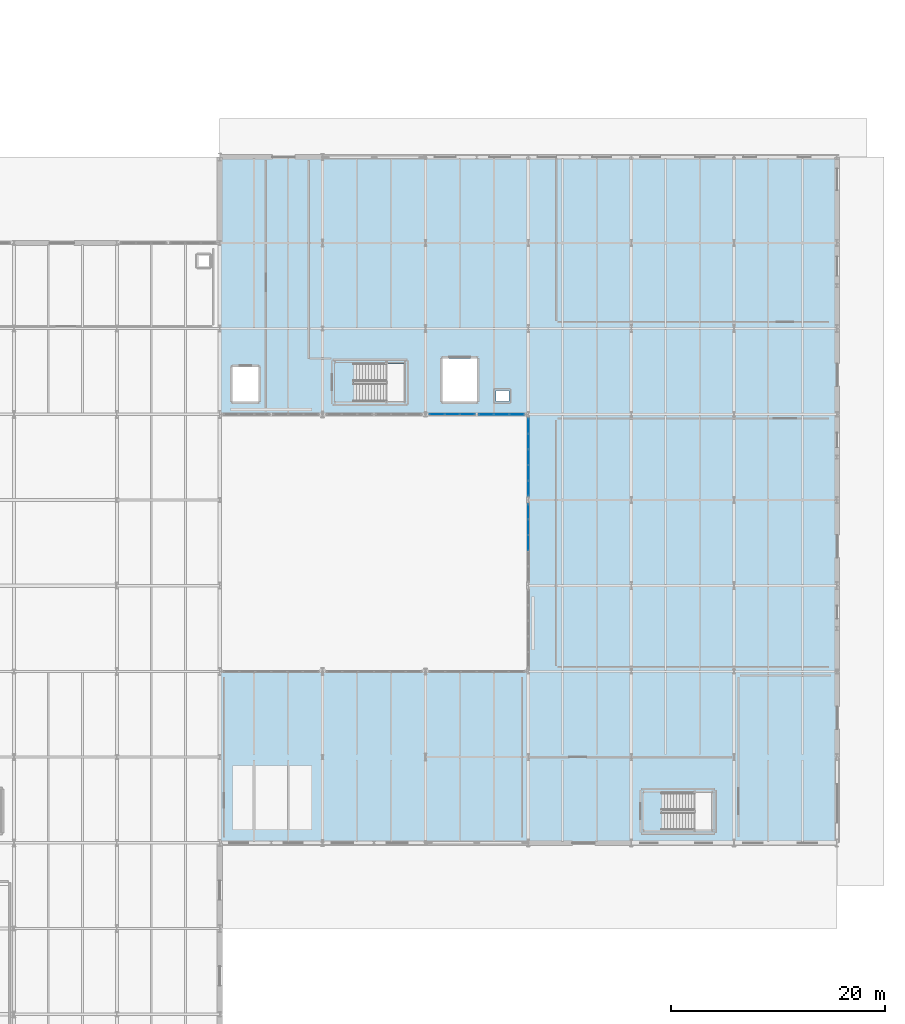
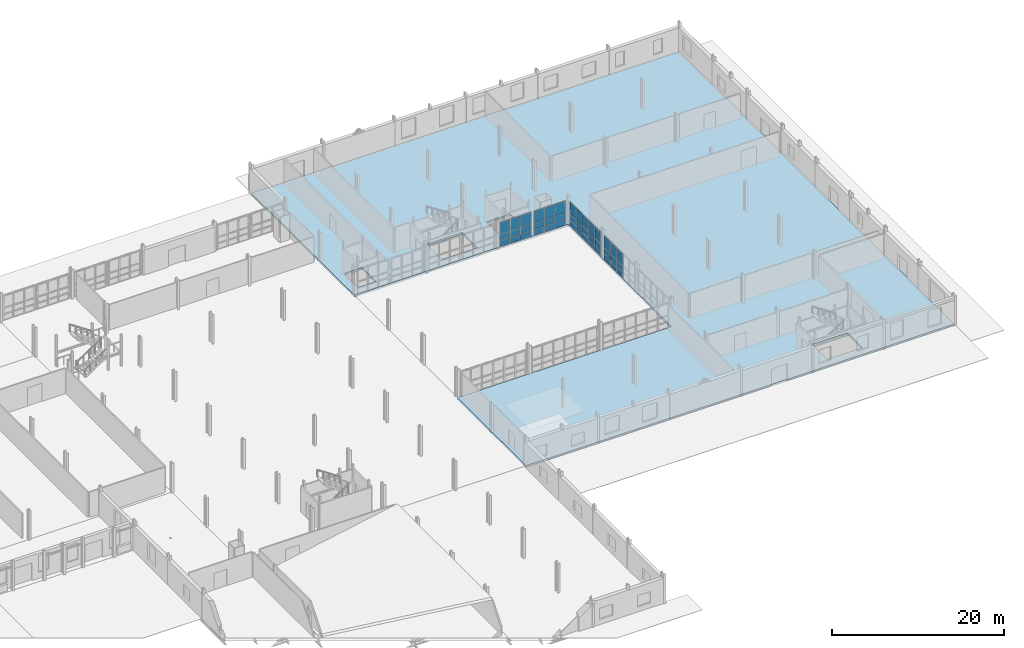
# One storey, part 52 of 78: 42 plates, 1 slab, 4 elements without a shape of their own.
"""IFC4 building model written with IfcOpenShell, lengths in metres."""

from ifc_helpers import new_model, si_unit, direction, frame, origin, origin_2d, place, context, subcontext, project, spatial, polyline, rectangle, outline, extrude, material, layer, layer_set, type_object, element, aggregate, save


model = new_model("IFC4")

# Units and contexts
model_context = context("Model", 3, precision=1e-05, world=origin(), true_north=direction((0.0, 1.0)))
body_context = subcontext(model_context, "Body", "Model", "MODEL_VIEW")
ifc_project = project(units=[si_unit("LENGTHUNIT", "METRE"), si_unit("AREAUNIT", "SQUARE_METRE"), si_unit("VOLUMEUNIT", "CUBIC_METRE"), si_unit("PLANEANGLEUNIT", "RADIAN"), si_unit("MASSUNIT", "GRAM", prefix="KILO")], contexts=[model_context])

# Site, building, storey
site_placement = place(None, origin())
site = spatial("IfcSite", under=ifc_project, at=site_placement, CompositionType="ELEMENT")
building_placement = place(site_placement, origin())
building = spatial("IfcBuilding", under=site, at=building_placement, Name="Alderhovde Museum", CompositionType="ELEMENT")
storey_placement = place(building_placement, origin())
storey = spatial("IfcBuildingStorey", under=building, at=storey_placement, Name="L00", CompositionType="ELEMENT", Elevation=0.0)

# Curtain wall, plates
ifc_material_1 = material(Name="Triple-Glazed Bronze-Anodised Curtain Wall", Category="glass")
ifc_layer_1 = layer(ifc_material_1, 0.179931640625)
ifc_layer_set_1 = layer_set([ifc_layer_1], Name="Triple-Glazed Bronze-Anodised Curtain Wall")
curtain_wall_type_1 = type_object("IfcCurtainWallType", Name="CW-STIC-430x356", PredefinedType="USERDEFINED", material=ifc_layer_set_1)
curtain_wall_1_placement = place(storey_placement, origin())
curtain_wall_1 = element("IfcCurtainWall", 1, at=curtain_wall_1_placement, inside=storey, type_object=curtain_wall_type_1, Name="L00 Stick Curtain Wall 137", ObjectType="STICK CURTAIN WALL", PredefinedType="USERDEFINED")
ifc_material_2 = material(Name="Triple-Glazed Low-E Laminated Glass", Category="glass")
ifc_layer_2 = layer(ifc_material_2, 0.035888671875)
ifc_layer_set_2 = layer_set([ifc_layer_2], Name="Triple-Glazed Low-E Laminated Glass")
plate_type_1 = type_object("IfcPlateType", Name="CWP-GLAZ-36", PredefinedType="CURTAIN_PANEL", material=ifc_layer_set_2)
plate_1_placement = place(storey_placement, frame((135.48291015625, 72.0, 0.06494140625), z_axis=(0.0, 0.0, 1.0), x_axis=(1.0, 0.0, 0.0)))
plate_1 = element("IfcPlate", 2, at=plate_1_placement, type_object=plate_type_1, Name="CW31 panel 1.1", PredefinedType="CURTAIN_PANEL", context=body_context, shape_type="SweptSolid", body=[
    extrude(rectangle(XDim=1.3359375, YDim=0.035888671875, at=origin_2d()), origin(), (0.0, 0.0, 1.0), 0.802490234375),
])
plate_2_placement = place(storey_placement, frame((135.48291015625, 72.0, 0.9326171875), z_axis=(0.0, 0.0, 1.0), x_axis=(1.0, 0.0, 0.0)))
plate_2 = element("IfcPlate", 3, at=plate_2_placement, type_object=plate_type_1, Name="CW31 panel 1.2", PredefinedType="CURTAIN_PANEL", context=body_context, shape_type="SweptSolid", body=[
    extrude(rectangle(XDim=1.3359375, YDim=0.035888671875, at=origin_2d()), origin(), (0.0, 0.0, 1.0), 0.81494140625),
])
plate_3_placement = place(storey_placement, frame((135.48291015625, 72.0, 1.8125), z_axis=(0.0, 0.0, 1.0), x_axis=(1.0, 0.0, 0.0)))
plate_3 = element("IfcPlate", 4, at=plate_3_placement, type_object=plate_type_1, Name="CW31 panel 1.3", PredefinedType="CURTAIN_PANEL", context=body_context, shape_type="SweptSolid", body=[
    extrude(rectangle(XDim=1.3359375, YDim=0.035888671875, at=origin_2d()), origin(), (0.0, 0.0, 1.0), 1.6826171875),
])
plate_4_placement = place(storey_placement, frame((136.89990234375, 72.0, 0.06494140625), z_axis=(0.0, 0.0, 1.0), x_axis=(1.0, 0.0, 0.0)))
plate_4 = element("IfcPlate", 5, at=plate_4_placement, type_object=plate_type_1, Name="CW31 panel 2.1", PredefinedType="CURTAIN_PANEL", context=body_context, shape_type="SweptSolid", body=[
    extrude(rectangle(XDim=1.368408203125, YDim=0.035888671875, at=origin_2d()), origin(), (0.0, 0.0, 1.0), 0.802490234375),
])
plate_5_placement = place(storey_placement, frame((136.89990234375, 72.0, 0.9326171875), z_axis=(0.0, 0.0, 1.0), x_axis=(1.0, 0.0, 0.0)))
plate_5 = element("IfcPlate", 6, at=plate_5_placement, type_object=plate_type_1, Name="CW31 panel 2.2", PredefinedType="CURTAIN_PANEL", context=body_context, shape_type="SweptSolid", body=[
    extrude(rectangle(XDim=1.368408203125, YDim=0.035888671875, at=origin_2d()), origin(), (0.0, 0.0, 1.0), 0.81494140625),
])
plate_6_placement = place(storey_placement, frame((136.89990234375, 72.0, 1.8125), z_axis=(0.0, 0.0, 1.0), x_axis=(1.0, 0.0, 0.0)))
plate_6 = element("IfcPlate", 7, at=plate_6_placement, type_object=plate_type_1, Name="CW31 panel 2.3", PredefinedType="CURTAIN_PANEL", context=body_context, shape_type="SweptSolid", body=[
    extrude(rectangle(XDim=1.368408203125, YDim=0.035888671875, at=origin_2d()), origin(), (0.0, 0.0, 1.0), 1.6826171875),
])
plate_7_placement = place(storey_placement, frame((138.317138671875, 72.0, 0.06494140625), z_axis=(0.0, 0.0, 1.0), x_axis=(1.0, 0.0, 0.0)))
plate_7 = element("IfcPlate", 8, at=plate_7_placement, type_object=plate_type_1, Name="CW31 panel 3.1", PredefinedType="CURTAIN_PANEL", context=body_context, shape_type="SweptSolid", body=[
    extrude(rectangle(XDim=1.3359375, YDim=0.035888671875, at=origin_2d()), origin(), (0.0, 0.0, 1.0), 0.802490234375),
])
plate_8_placement = place(storey_placement, frame((138.317138671875, 72.0, 0.9326171875), z_axis=(0.0, 0.0, 1.0), x_axis=(1.0, 0.0, 0.0)))
plate_8 = element("IfcPlate", 9, at=plate_8_placement, type_object=plate_type_1, Name="CW31 panel 3.2", PredefinedType="CURTAIN_PANEL", context=body_context, shape_type="SweptSolid", body=[
    extrude(rectangle(XDim=1.3359375, YDim=0.035888671875, at=origin_2d()), origin(), (0.0, 0.0, 1.0), 0.81494140625),
])
plate_9_placement = place(storey_placement, frame((138.317138671875, 72.0, 1.8125), z_axis=(0.0, 0.0, 1.0), x_axis=(1.0, 0.0, 0.0)))
plate_9 = element("IfcPlate", 10, at=plate_9_placement, type_object=plate_type_1, Name="CW31 panel 3.3", PredefinedType="CURTAIN_PANEL", context=body_context, shape_type="SweptSolid", body=[
    extrude(rectangle(XDim=1.3359375, YDim=0.035888671875, at=origin_2d()), origin(), (0.0, 0.0, 1.0), 1.6826171875),
])
aggregate(curtain_wall_1, [plate_1, plate_2, plate_3, plate_4, plate_5, plate_6, plate_7, plate_8, plate_9])

ifc_material_3 = material(Name="Triple-Glazed Bronze-Anodised Curtain Wall", Category="glass")
ifc_layer_3 = layer(ifc_material_3, 0.179931640625)
ifc_layer_set_3 = layer_set([ifc_layer_3], Name="Triple-Glazed Bronze-Anodised Curtain Wall")
curtain_wall_type_2 = type_object("IfcCurtainWallType", Name="CW-STIC-730x356", PredefinedType="USERDEFINED", material=ifc_layer_set_3)
curtain_wall_2_placement = place(storey_placement, origin())
curtain_wall_2 = element("IfcCurtainWall", 11, at=curtain_wall_2_placement, inside=storey, type_object=curtain_wall_type_2, Name="L00 Stick Curtain Wall 141", ObjectType="STICK CURTAIN WALL", PredefinedType="USERDEFINED")
plate_10_placement = place(storey_placement, frame((144.0, 60.0, 0.06494140625), z_axis=(0.0, 0.0, 1.0), x_axis=(0.0, 1.0, 0.0)))
plate_10 = element("IfcPlate", 12, at=plate_10_placement, type_object=plate_type_1, Name="CW33 panel 3.1", PredefinedType="CURTAIN_PANEL", context=body_context, shape_type="SweptSolid", body=[
    extrude(rectangle(XDim=1.39501953125, YDim=0.035888671875, at=origin_2d()), origin(), (0.0, 0.0, 1.0), 0.802490234375),
])
plate_11_placement = place(storey_placement, frame((144.0, 60.0, 0.9326171875), z_axis=(0.0, 0.0, 1.0), x_axis=(0.0, 1.0, 0.0)))
plate_11 = element("IfcPlate", 13, at=plate_11_placement, type_object=plate_type_1, Name="CW33 panel 3.2", PredefinedType="CURTAIN_PANEL", context=body_context, shape_type="SweptSolid", body=[
    extrude(rectangle(XDim=1.39501953125, YDim=0.035888671875, at=origin_2d()), origin(), (0.0, 0.0, 1.0), 0.81494140625),
])
plate_12_placement = place(storey_placement, frame((144.0, 60.0, 1.8125), z_axis=(0.0, 0.0, 1.0), x_axis=(0.0, 1.0, 0.0)))
plate_12 = element("IfcPlate", 14, at=plate_12_placement, type_object=plate_type_1, Name="CW33 panel 3.3", PredefinedType="CURTAIN_PANEL", context=body_context, shape_type="SweptSolid", body=[
    extrude(rectangle(XDim=1.39501953125, YDim=0.035888671875, at=origin_2d()), origin(), (0.0, 0.0, 1.0), 1.6826171875),
])
plate_13_placement = place(storey_placement, frame((144.0, 61.4599609375, 0.06494140625), z_axis=(0.0, 0.0, 1.0), x_axis=(0.0, 1.0, 0.0)))
plate_13 = element("IfcPlate", 15, at=plate_13_placement, type_object=plate_type_1, Name="CW33 panel 4.1", PredefinedType="CURTAIN_PANEL", context=body_context, shape_type="SweptSolid", body=[
    extrude(rectangle(XDim=1.39501953125, YDim=0.035888671875, at=origin_2d()), origin(), (0.0, 0.0, 1.0), 0.802490234375),
])
plate_14_placement = place(storey_placement, frame((144.0, 61.4599609375, 0.9326171875), z_axis=(0.0, 0.0, 1.0), x_axis=(0.0, 1.0, 0.0)))
plate_14 = element("IfcPlate", 16, at=plate_14_placement, type_object=plate_type_1, Name="CW33 panel 4.2", PredefinedType="CURTAIN_PANEL", context=body_context, shape_type="SweptSolid", body=[
    extrude(rectangle(XDim=1.39501953125, YDim=0.035888671875, at=origin_2d()), origin(), (0.0, 0.0, 1.0), 0.81494140625),
])
plate_15_placement = place(storey_placement, frame((144.0, 61.4599609375, 1.8125), z_axis=(0.0, 0.0, 1.0), x_axis=(0.0, 1.0, 0.0)))
plate_15 = element("IfcPlate", 17, at=plate_15_placement, type_object=plate_type_1, Name="CW33 panel 4.3", PredefinedType="CURTAIN_PANEL", context=body_context, shape_type="SweptSolid", body=[
    extrude(rectangle(XDim=1.39501953125, YDim=0.035888671875, at=origin_2d()), origin(), (0.0, 0.0, 1.0), 1.6826171875),
])
plate_16_placement = place(storey_placement, frame((144.0, 62.90380859375, 0.06494140625), z_axis=(0.0, 0.0, 1.0), x_axis=(0.0, 1.0, 0.0)))
plate_16 = element("IfcPlate", 18, at=plate_16_placement, type_object=plate_type_1, Name="CW33 panel 5.1", PredefinedType="CURTAIN_PANEL", context=body_context, shape_type="SweptSolid", body=[
    extrude(rectangle(XDim=1.362548828125, YDim=0.035888671875, at=origin_2d()), origin(), (0.0, 0.0, 1.0), 0.802490234375),
])
plate_17_placement = place(storey_placement, frame((144.0, 62.90380859375, 0.9326171875), z_axis=(0.0, 0.0, 1.0), x_axis=(0.0, 1.0, 0.0)))
plate_17 = element("IfcPlate", 19, at=plate_17_placement, type_object=plate_type_1, Name="CW33 panel 5.2", PredefinedType="CURTAIN_PANEL", context=body_context, shape_type="SweptSolid", body=[
    extrude(rectangle(XDim=1.362548828125, YDim=0.035888671875, at=origin_2d()), origin(), (0.0, 0.0, 1.0), 0.81494140625),
])
plate_18_placement = place(storey_placement, frame((144.0, 62.90380859375, 1.8125), z_axis=(0.0, 0.0, 1.0), x_axis=(0.0, 1.0, 0.0)))
plate_18 = element("IfcPlate", 20, at=plate_18_placement, type_object=plate_type_1, Name="CW33 panel 5.3", PredefinedType="CURTAIN_PANEL", context=body_context, shape_type="SweptSolid", body=[
    extrude(rectangle(XDim=1.362548828125, YDim=0.035888671875, at=origin_2d()), origin(), (0.0, 0.0, 1.0), 1.6826171875),
])
aggregate(curtain_wall_2, [plate_10, plate_11, plate_12, plate_13, plate_14, plate_15, plate_16, plate_17, plate_18])

curtain_wall_3_placement = place(storey_placement, origin())
curtain_wall_3 = element("IfcCurtainWall", 21, at=curtain_wall_3_placement, inside=storey, type_object=curtain_wall_type_1, Name="L00 Stick Curtain Wall 138", ObjectType="STICK CURTAIN WALL", PredefinedType="USERDEFINED")
ifc_material_4 = material(Name="Triple-Glazed Low-E Laminated Glass", Category="glass")
ifc_layer_4 = layer(ifc_material_4, 0.0439453125)
ifc_layer_set_4 = layer_set([ifc_layer_4], Name="Triple-Glazed Low-E Laminated Glass")
plate_type_2 = type_object("IfcPlateType", Name="CWP-GLAZ-44", PredefinedType="CURTAIN_PANEL", material=ifc_layer_set_4)
plate_19_placement = place(storey_placement, frame((140.0830078125, 72.0, 0.06494140625), z_axis=(0.0, 0.0, 1.0), x_axis=(1.0, 0.0, 0.0)))
plate_19 = element("IfcPlate", 22, at=plate_19_placement, type_object=plate_type_2, Name="CW31 panel 1.1", PredefinedType="CURTAIN_PANEL", context=body_context, shape_type="SweptSolid", body=[
    extrude(rectangle(XDim=1.3359375, YDim=0.0439453125, at=origin_2d()), origin(), (0.0, 0.0, 1.0), 0.802490234375),
])
plate_20_placement = place(storey_placement, frame((140.0830078125, 72.0, 0.9326171875), z_axis=(0.0, 0.0, 1.0), x_axis=(1.0, 0.0, 0.0)))
plate_20 = element("IfcPlate", 23, at=plate_20_placement, type_object=plate_type_2, Name="CW31 panel 1.2", PredefinedType="CURTAIN_PANEL", context=body_context, shape_type="SweptSolid", body=[
    extrude(rectangle(XDim=1.3359375, YDim=0.0439453125, at=origin_2d()), origin(), (0.0, 0.0, 1.0), 0.81494140625),
])
plate_21_placement = place(storey_placement, frame((140.0830078125, 72.0, 1.8125), z_axis=(0.0, 0.0, 1.0), x_axis=(1.0, 0.0, 0.0)))
plate_21 = element("IfcPlate", 24, at=plate_21_placement, type_object=plate_type_2, Name="CW31 panel 1.3", PredefinedType="CURTAIN_PANEL", context=body_context, shape_type="SweptSolid", body=[
    extrude(rectangle(XDim=1.3359375, YDim=0.0439453125, at=origin_2d()), origin(), (0.0, 0.0, 1.0), 1.6826171875),
])
plate_22_placement = place(storey_placement, frame((141.5, 72.0, 0.06494140625), z_axis=(0.0, 0.0, 1.0), x_axis=(1.0, 0.0, 0.0)))
plate_22 = element("IfcPlate", 25, at=plate_22_placement, type_object=plate_type_2, Name="CW31 panel 2.1", PredefinedType="CURTAIN_PANEL", context=body_context, shape_type="SweptSolid", body=[
    extrude(rectangle(XDim=1.368408203125, YDim=0.0439453125, at=origin_2d()), origin(), (0.0, 0.0, 1.0), 0.802490234375),
])
plate_23_placement = place(storey_placement, frame((141.5, 72.0, 0.9326171875), z_axis=(0.0, 0.0, 1.0), x_axis=(1.0, 0.0, 0.0)))
plate_23 = element("IfcPlate", 26, at=plate_23_placement, type_object=plate_type_2, Name="CW31 panel 2.2", PredefinedType="CURTAIN_PANEL", context=body_context, shape_type="SweptSolid", body=[
    extrude(rectangle(XDim=1.368408203125, YDim=0.0439453125, at=origin_2d()), origin(), (0.0, 0.0, 1.0), 0.81494140625),
])
plate_24_placement = place(storey_placement, frame((141.5, 72.0, 1.8125), z_axis=(0.0, 0.0, 1.0), x_axis=(1.0, 0.0, 0.0)))
plate_24 = element("IfcPlate", 27, at=plate_24_placement, type_object=plate_type_2, Name="CW31 panel 2.3", PredefinedType="CURTAIN_PANEL", context=body_context, shape_type="SweptSolid", body=[
    extrude(rectangle(XDim=1.368408203125, YDim=0.0439453125, at=origin_2d()), origin(), (0.0, 0.0, 1.0), 1.6826171875),
])
plate_25_placement = place(storey_placement, frame((142.9169921875, 72.0, 0.06494140625), z_axis=(0.0, 0.0, 1.0), x_axis=(1.0, 0.0, 0.0)))
plate_25 = element("IfcPlate", 28, at=plate_25_placement, type_object=plate_type_2, Name="CW31 panel 3.1", PredefinedType="CURTAIN_PANEL", context=body_context, shape_type="SweptSolid", body=[
    extrude(rectangle(XDim=1.3359375, YDim=0.0439453125, at=origin_2d()), origin(), (0.0, 0.0, 1.0), 0.802490234375),
])
plate_26_placement = place(storey_placement, frame((142.9169921875, 72.0, 0.9326171875), z_axis=(0.0, 0.0, 1.0), x_axis=(1.0, 0.0, 0.0)))
plate_26 = element("IfcPlate", 29, at=plate_26_placement, type_object=plate_type_2, Name="CW31 panel 3.2", PredefinedType="CURTAIN_PANEL", context=body_context, shape_type="SweptSolid", body=[
    extrude(rectangle(XDim=1.3359375, YDim=0.0439453125, at=origin_2d()), origin(), (0.0, 0.0, 1.0), 0.81494140625),
])
plate_27_placement = place(storey_placement, frame((142.9169921875, 72.0, 1.8125), z_axis=(0.0, 0.0, 1.0), x_axis=(1.0, 0.0, 0.0)))
plate_27 = element("IfcPlate", 30, at=plate_27_placement, type_object=plate_type_2, Name="CW31 panel 3.3", PredefinedType="CURTAIN_PANEL", context=body_context, shape_type="SweptSolid", body=[
    extrude(rectangle(XDim=1.3359375, YDim=0.0439453125, at=origin_2d()), origin(), (0.0, 0.0, 1.0), 1.6826171875),
])
aggregate(curtain_wall_3, [plate_19, plate_20, plate_21, plate_22, plate_23, plate_24, plate_25, plate_26, plate_27])

curtain_wall_4_placement = place(storey_placement, origin())
curtain_wall_4 = element("IfcCurtainWall", 31, at=curtain_wall_4_placement, inside=storey, type_object=curtain_wall_type_2, Name="L00 Stick Curtain Wall 142", ObjectType="STICK CURTAIN WALL", PredefinedType="USERDEFINED")
plate_28_placement = place(storey_placement, frame((144.0, 65.09619140625, 0.06494140625), z_axis=(0.0, 0.0, 1.0), x_axis=(0.0, 1.0, 0.0)))
plate_28 = element("IfcPlate", 32, at=plate_28_placement, type_object=plate_type_2, Name="CW33 panel 1.1", PredefinedType="CURTAIN_PANEL", context=body_context, shape_type="SweptSolid", body=[
    extrude(rectangle(XDim=1.362548828125, YDim=0.0439453125, at=origin_2d()), origin(), (0.0, 0.0, 1.0), 0.802490234375),
])
plate_29_placement = place(storey_placement, frame((144.0, 65.09619140625, 0.9326171875), z_axis=(0.0, 0.0, 1.0), x_axis=(0.0, 1.0, 0.0)))
plate_29 = element("IfcPlate", 33, at=plate_29_placement, type_object=plate_type_2, Name="CW33 panel 1.2", PredefinedType="CURTAIN_PANEL", context=body_context, shape_type="SweptSolid", body=[
    extrude(rectangle(XDim=1.362548828125, YDim=0.0439453125, at=origin_2d()), origin(), (0.0, 0.0, 1.0), 0.81494140625),
])
plate_30_placement = place(storey_placement, frame((144.0, 65.09619140625, 1.8125), z_axis=(0.0, 0.0, 1.0), x_axis=(0.0, 1.0, 0.0)))
plate_30 = element("IfcPlate", 34, at=plate_30_placement, type_object=plate_type_2, Name="CW33 panel 1.3", PredefinedType="CURTAIN_PANEL", context=body_context, shape_type="SweptSolid", body=[
    extrude(rectangle(XDim=1.362548828125, YDim=0.0439453125, at=origin_2d()), origin(), (0.0, 0.0, 1.0), 1.6826171875),
])
plate_31_placement = place(storey_placement, frame((144.0, 66.5400390625, 0.06494140625), z_axis=(0.0, 0.0, 1.0), x_axis=(0.0, 1.0, 0.0)))
plate_31 = element("IfcPlate", 35, at=plate_31_placement, type_object=plate_type_2, Name="CW33 panel 2.1", PredefinedType="CURTAIN_PANEL", context=body_context, shape_type="SweptSolid", body=[
    extrude(rectangle(XDim=1.39501953125, YDim=0.0439453125, at=origin_2d()), origin(), (0.0, 0.0, 1.0), 0.802490234375),
])
plate_32_placement = place(storey_placement, frame((144.0, 66.5400390625, 0.9326171875), z_axis=(0.0, 0.0, 1.0), x_axis=(0.0, 1.0, 0.0)))
plate_32 = element("IfcPlate", 36, at=plate_32_placement, type_object=plate_type_2, Name="CW33 panel 2.2", PredefinedType="CURTAIN_PANEL", context=body_context, shape_type="SweptSolid", body=[
    extrude(rectangle(XDim=1.39501953125, YDim=0.0439453125, at=origin_2d()), origin(), (0.0, 0.0, 1.0), 0.81494140625),
])
plate_33_placement = place(storey_placement, frame((144.0, 66.5400390625, 1.8125), z_axis=(0.0, 0.0, 1.0), x_axis=(0.0, 1.0, 0.0)))
plate_33 = element("IfcPlate", 37, at=plate_33_placement, type_object=plate_type_2, Name="CW33 panel 2.3", PredefinedType="CURTAIN_PANEL", context=body_context, shape_type="SweptSolid", body=[
    extrude(rectangle(XDim=1.39501953125, YDim=0.0439453125, at=origin_2d()), origin(), (0.0, 0.0, 1.0), 1.6826171875),
])
plate_34_placement = place(storey_placement, frame((144.0, 68.0, 0.06494140625), z_axis=(0.0, 0.0, 1.0), x_axis=(0.0, 1.0, 0.0)))
plate_34 = element("IfcPlate", 38, at=plate_34_placement, type_object=plate_type_2, Name="CW33 panel 3.1", PredefinedType="CURTAIN_PANEL", context=body_context, shape_type="SweptSolid", body=[
    extrude(rectangle(XDim=1.39501953125, YDim=0.0439453125, at=origin_2d()), origin(), (0.0, 0.0, 1.0), 0.802490234375),
])
plate_35_placement = place(storey_placement, frame((144.0, 68.0, 0.9326171875), z_axis=(0.0, 0.0, 1.0), x_axis=(0.0, 1.0, 0.0)))
plate_35 = element("IfcPlate", 39, at=plate_35_placement, type_object=plate_type_2, Name="CW33 panel 3.2", PredefinedType="CURTAIN_PANEL", context=body_context, shape_type="SweptSolid", body=[
    extrude(rectangle(XDim=1.39501953125, YDim=0.0439453125, at=origin_2d()), origin(), (0.0, 0.0, 1.0), 0.81494140625),
])
plate_36_placement = place(storey_placement, frame((144.0, 68.0, 1.8125), z_axis=(0.0, 0.0, 1.0), x_axis=(0.0, 1.0, 0.0)))
plate_36 = element("IfcPlate", 40, at=plate_36_placement, type_object=plate_type_2, Name="CW33 panel 3.3", PredefinedType="CURTAIN_PANEL", context=body_context, shape_type="SweptSolid", body=[
    extrude(rectangle(XDim=1.39501953125, YDim=0.0439453125, at=origin_2d()), origin(), (0.0, 0.0, 1.0), 1.6826171875),
])
plate_37_placement = place(storey_placement, frame((144.0, 69.4599609375, 0.06494140625), z_axis=(0.0, 0.0, 1.0), x_axis=(0.0, 1.0, 0.0)))
plate_37 = element("IfcPlate", 41, at=plate_37_placement, type_object=plate_type_2, Name="CW33 panel 4.1", PredefinedType="CURTAIN_PANEL", context=body_context, shape_type="SweptSolid", body=[
    extrude(rectangle(XDim=1.39501953125, YDim=0.0439453125, at=origin_2d()), origin(), (0.0, 0.0, 1.0), 0.802490234375),
])
plate_38_placement = place(storey_placement, frame((144.0, 69.4599609375, 0.9326171875), z_axis=(0.0, 0.0, 1.0), x_axis=(0.0, 1.0, 0.0)))
plate_38 = element("IfcPlate", 42, at=plate_38_placement, type_object=plate_type_2, Name="CW33 panel 4.2", PredefinedType="CURTAIN_PANEL", context=body_context, shape_type="SweptSolid", body=[
    extrude(rectangle(XDim=1.39501953125, YDim=0.0439453125, at=origin_2d()), origin(), (0.0, 0.0, 1.0), 0.81494140625),
])
plate_39_placement = place(storey_placement, frame((144.0, 69.4599609375, 1.8125), z_axis=(0.0, 0.0, 1.0), x_axis=(0.0, 1.0, 0.0)))
plate_39 = element("IfcPlate", 43, at=plate_39_placement, type_object=plate_type_2, Name="CW33 panel 4.3", PredefinedType="CURTAIN_PANEL", context=body_context, shape_type="SweptSolid", body=[
    extrude(rectangle(XDim=1.39501953125, YDim=0.0439453125, at=origin_2d()), origin(), (0.0, 0.0, 1.0), 1.6826171875),
])
plate_40_placement = place(storey_placement, frame((144.0, 70.90380859375, 0.06494140625), z_axis=(0.0, 0.0, 1.0), x_axis=(0.0, 1.0, 0.0)))
plate_40 = element("IfcPlate", 44, at=plate_40_placement, type_object=plate_type_2, Name="CW33 panel 5.1", PredefinedType="CURTAIN_PANEL", context=body_context, shape_type="SweptSolid", body=[
    extrude(rectangle(XDim=1.362548828125, YDim=0.0439453125, at=origin_2d()), origin(), (0.0, 0.0, 1.0), 0.802490234375),
])
plate_41_placement = place(storey_placement, frame((144.0, 70.90380859375, 0.9326171875), z_axis=(0.0, 0.0, 1.0), x_axis=(0.0, 1.0, 0.0)))
plate_41 = element("IfcPlate", 45, at=plate_41_placement, type_object=plate_type_2, Name="CW33 panel 5.2", PredefinedType="CURTAIN_PANEL", context=body_context, shape_type="SweptSolid", body=[
    extrude(rectangle(XDim=1.362548828125, YDim=0.0439453125, at=origin_2d()), origin(), (0.0, 0.0, 1.0), 0.81494140625),
])
plate_42_placement = place(storey_placement, frame((144.0, 70.90380859375, 1.8125), z_axis=(0.0, 0.0, 1.0), x_axis=(0.0, 1.0, 0.0)))
plate_42 = element("IfcPlate", 46, at=plate_42_placement, type_object=plate_type_2, Name="CW33 panel 5.3", PredefinedType="CURTAIN_PANEL", context=body_context, shape_type="SweptSolid", body=[
    extrude(rectangle(XDim=1.362548828125, YDim=0.0439453125, at=origin_2d()), origin(), (0.0, 0.0, 1.0), 1.6826171875),
])
aggregate(curtain_wall_4, [plate_28, plate_29, plate_30, plate_31, plate_32, plate_33, plate_34, plate_35, plate_36, plate_37, plate_38, plate_39, plate_40, plate_41, plate_42])

# Slab
ifc_material_5 = material(Name="Concrete C35/45", Category="concrete")
ifc_layer_5 = layer(ifc_material_5, 0.280029296875)
ifc_layer_set_5 = layer_set([ifc_layer_5], Name="Concrete C35/45")
slab_type = type_object("IfcSlabType", Name="SLB-FLR-280", PredefinedType="FLOOR", material=ifc_layer_set_5)
slab_placement = place(storey_placement, frame((0.0, 0.0, -0.280029296875)))
element("IfcSlab", 47, at=slab_placement, inside=storey, type_object=slab_type, Name="L00 VOL5 Structural Slab", PredefinedType="FLOOR", context=body_context, shape_type="SweptSolid", body=[
    extrude(outline(polyline([(115.199951171875, 32.0), (172.800048828125, 32.0), (172.800048828125, 96.0), (115.199951171875, 96.0), (115.199951171875, 72.0), (144.0, 72.0), (144.0, 48.0), (115.199951171875, 48.0), (115.199951171875, 32.0)]), holes=[polyline([(127.7099609375, 73.199951171875), (132.43994140625, 73.199951171875), (132.43994140625, 76.760009765625), (127.7099609375, 76.760009765625), (127.7099609375, 73.199951171875)]), polyline([(156.469970703125, 33.199951171875), (161.159912109375, 33.199951171875), (161.159912109375, 36.679931640625), (156.469970703125, 36.679931640625), (156.469970703125, 33.199951171875)]), polyline([(116.39990234375, 73.199951171875), (118.800048828125, 73.199951171875), (118.800048828125, 76.39990234375), (116.39990234375, 76.39990234375), (116.39990234375, 73.199951171875)]), polyline([(136.0, 73.199951171875), (139.199951171875, 73.199951171875), (139.199951171875, 77.199951171875), (136.0, 77.199951171875), (136.0, 73.199951171875)]), polyline([(141.0, 73.199951171875), (142.199951171875, 73.199951171875), (142.199951171875, 74.199951171875), (141.0, 74.199951171875), (141.0, 73.199951171875)])]), origin(), (0.0, 0.0, 1.0), 0.280029296875),
])

save(model, "model.ifc")
